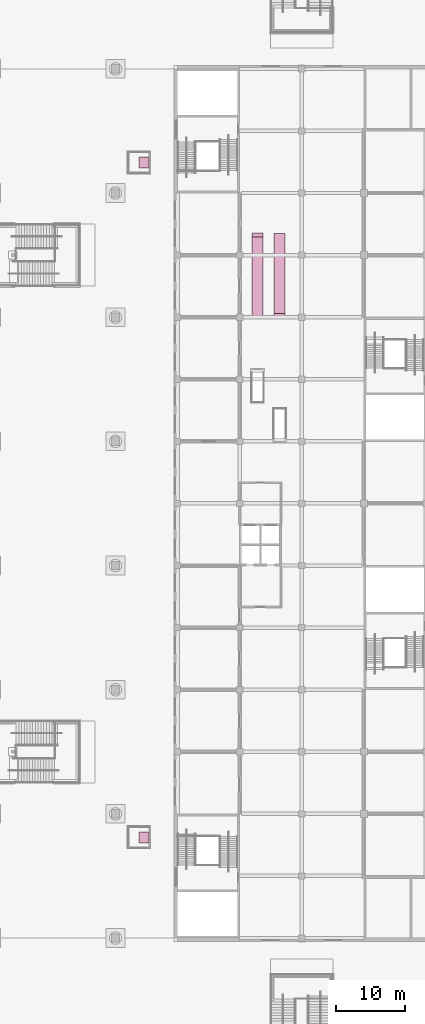
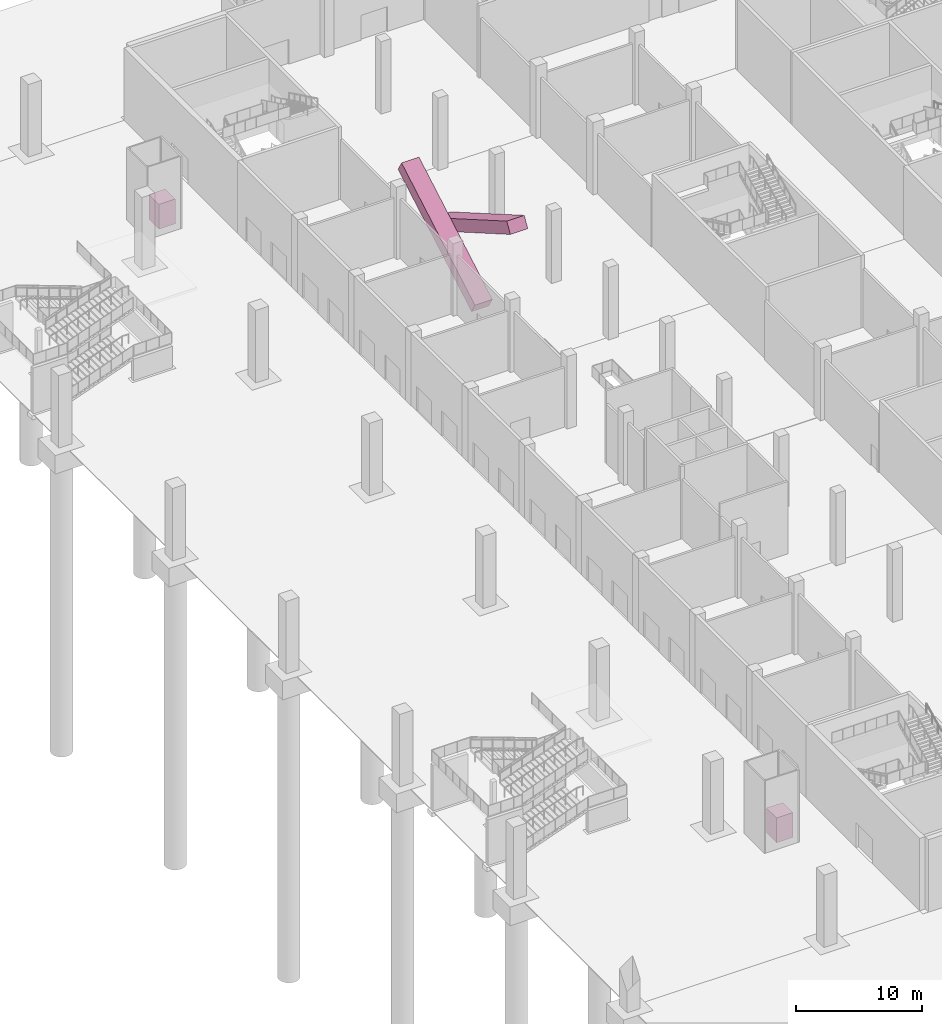
# One storey, part 92 of 92: 4 transport elements.
"""IFC4 building model written with IfcOpenShell, lengths in metres."""

from ifc_helpers import new_model, si_unit, direction, frame, origin, origin_2d, place, context, subcontext, project, spatial, polyline, rectangle, outline, extrude, material, type_object, element, save


model = new_model("IFC4")

# Units and contexts
model_context = context("Model", 3, precision=1e-05, world=origin(), true_north=direction((0.0, 1.0)))
body_context = subcontext(model_context, "Body", "Model", "MODEL_VIEW")
ifc_project = project(units=[si_unit("LENGTHUNIT", "METRE"), si_unit("AREAUNIT", "SQUARE_METRE"), si_unit("VOLUMEUNIT", "CUBIC_METRE"), si_unit("PLANEANGLEUNIT", "RADIAN"), si_unit("MASSUNIT", "GRAM", prefix="KILO")], contexts=[model_context])

# Site, building, storey
site_placement = place(None, origin())
site = spatial("IfcSite", under=ifc_project, at=site_placement, CompositionType="ELEMENT")
building_placement = place(site_placement, origin())
building = spatial("IfcBuilding", under=site, at=building_placement, Name="Silverbay Arena", CompositionType="ELEMENT")
storey_placement = place(building_placement, origin())
storey = spatial("IfcBuildingStorey", under=building, at=storey_placement, Name="L00", CompositionType="ELEMENT", Elevation=0.0)

# Transport elements
ifc_material_1 = material(Name="Stainless steel", Category="steel")
transport_element_type_1 = type_object("IfcTransportElementType", Name="Escalator 1600 wide 30 degree", PredefinedType="ESCALATOR", material=ifc_material_1)
transport_element_1_placement = place(storey_placement, frame((37.800048828125, 108.0, 0.0), z_axis=(0.0, -0.500008480018, 0.866020507788), x_axis=(1.0, 0.0, 0.0)))
element("IfcTransportElement", 1, at=transport_element_1_placement, inside=storey, type_object=transport_element_type_1, Name="Escalator LF30", PredefinedType="ESCALATOR", context=body_context, shape_type="SweptSolid", body=[
    extrude(outline(polyline([(0.0, 0.0), (1.599853515625, 0.0), (1.599853515625, 13.42262391431255), (0.0, 13.42262391431255), (0.0, 0.0)])), origin(), (0.0, 0.0, -1.0), 1.10009765625),
])
transport_element_2_placement = place(storey_placement, frame((41.0, 120.124267578125, 0.0), z_axis=(0.0, 0.500008480018, 0.866020507788), x_axis=(1.0, 0.0, 0.0)))
element("IfcTransportElement", 2, at=transport_element_2_placement, inside=storey, type_object=transport_element_type_1, Name="Escalator LF31", PredefinedType="ESCALATOR", context=body_context, shape_type="SweptSolid", body=[
    extrude(outline(polyline([(0.0, 0.0), (1.60009765625, 0.0), (1.60009765625, -13.422623914312553), (0.0, -13.422623914312553), (0.0, 0.0)])), origin(), (0.0, 0.0, -1.0), 1.10009765625),
])
ifc_material_2 = material(Name="Stainless steel", Category="steel")
transport_element_type_2 = type_object("IfcTransportElementType", Name="Glazed public lift 1000 kg car 1600 x 1500", PredefinedType="ELEVATOR", material=ifc_material_2)
for number, where, z_axis, x_axis, name in (
    (3, (22.1298828125, 32.60009765625, 0.0), (0.0, 0.0, 1.0), (1.0, 0.0, 0.0), "Glazed public lift LF25"),
    (4, (22.1298828125, 130.39990234375, 0.0), (0.0, 0.0, 1.0), (1.0, 0.0, 0.0), "Glazed public lift LF26"),
):
    element("IfcTransportElement", number, at=place(storey_placement, frame(where, z_axis=z_axis, x_axis=x_axis)), inside=storey, type_object=transport_element_type_2, Name=name, PredefinedType="ELEVATOR", context=body_context, shape_type="SweptSolid", body=[
        extrude(rectangle(XDim=1.5, YDim=1.60009765625, at=origin_2d()), origin(), (0.0, 0.0, 1.0), 2.39990234375),
    ])

save(model, "model.ifc")
